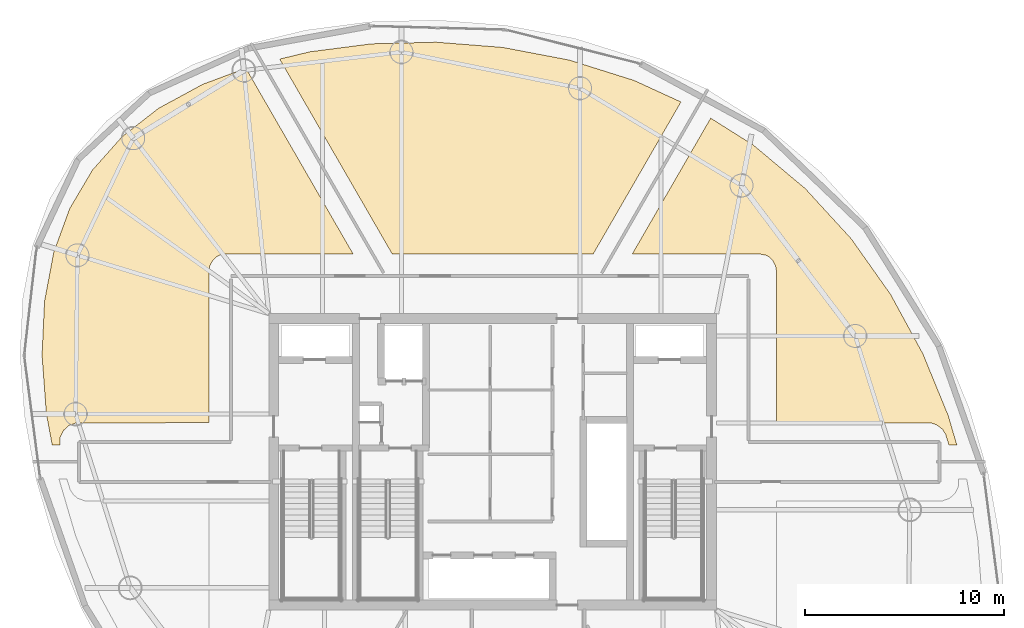
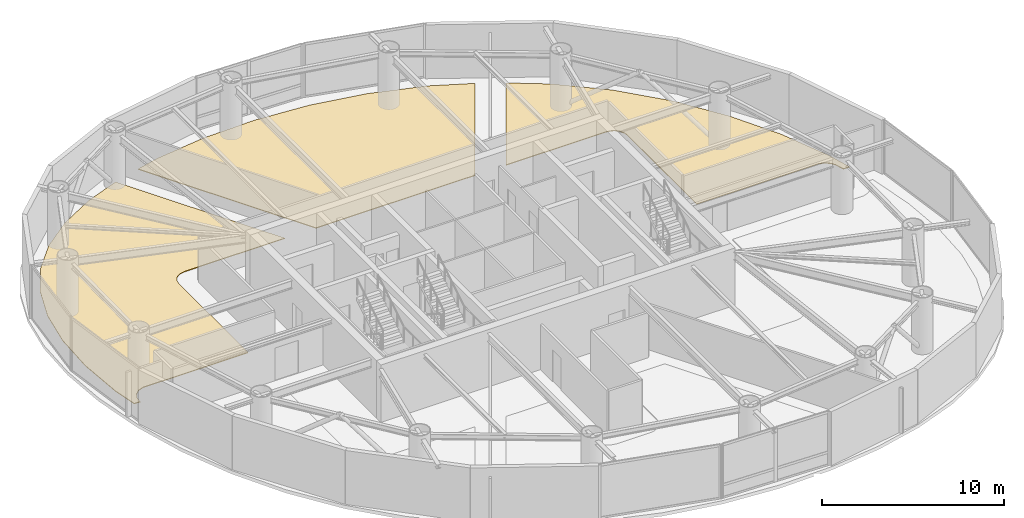
# One storey, part 20 of 20: 3 coverings.
"""IFC4 building model written with IfcOpenShell, lengths in metres."""

from ifc_helpers import new_model, si_unit, direction, frame, origin, place, context, subcontext, project, spatial, polyline, outline, extrude, material, layer, layer_set, type_object, element, save


model = new_model("IFC4")

# Units and contexts
model_context = context("Model", 3, precision=1e-05, world=origin(), true_north=direction((0.0, 1.0)))
body_context = subcontext(model_context, "Body", "Model", "MODEL_VIEW")
ifc_project = project(units=[si_unit("LENGTHUNIT", "METRE"), si_unit("AREAUNIT", "SQUARE_METRE"), si_unit("VOLUMEUNIT", "CUBIC_METRE"), si_unit("PLANEANGLEUNIT", "RADIAN"), si_unit("MASSUNIT", "GRAM", prefix="KILO")], contexts=[model_context])

# Site, building, storey
site_placement = place(None, origin())
site = spatial("IfcSite", under=ifc_project, at=site_placement, CompositionType="ELEMENT")
building_placement = place(site_placement, origin())
building = spatial("IfcBuilding", under=site, at=building_placement, Name="Bramvorn Convention Spire", CompositionType="ELEMENT")
storey_placement = place(building_placement, frame((0.0, 0.0, 175.050048828125)))
storey = spatial("IfcBuildingStorey", under=building, at=storey_placement, Name="L44", CompositionType="ELEMENT", Elevation=175.050048828125)

# Coverings
ifc_material = material(Name="Calcium-Sulphate Raised Access Office Floor", Category="steel")
ifc_layer = layer(ifc_material, 0.044921875)
ifc_layer_set = layer_set([ifc_layer], Name="Calcium-Sulphate Raised Access Office Floor - FLR-RAISED-45")
covering_type = type_object("IfcCoveringType", Name="FLR-RAISED-45", PredefinedType="FLOORING", material=ifc_layer_set)
covering_1_placement = place(storey_placement, origin())
element("IfcCovering", 1, at=covering_1_placement, inside=storey, type_object=covering_type, Name="L44 Open-Plan Engineering Office A 1 raised floor finish", PredefinedType="FLOORING", context=body_context, shape_type="SweptSolid", body=[
    extrude(outline(polyline([(51.092529296875, 41.91748046875), (48.951416015625, 43.268310546875), (45.014892578125, 36.449951171875), (51.39990234375, 36.449951171875), (51.725341796875, 36.38525390625), (51.872314453125, 36.306640625), (52.05712890625, 36.13916015625), (52.21337890625, 35.8466796875), (52.25, 35.60009765625), (52.25, 27.969970703125), (60.004150390625, 27.960205078125), (60.289306640625, 27.872802734375), (60.593017578125, 27.642578125), (60.749267578125, 27.402099609375), (60.92138671875, 26.85009765625), (61.3173828125, 26.85009765625), (60.883544921875, 28.32958984375), (59.61279296875, 31.42919921875), (57.987548828125, 34.41650390625), (56.013916015625, 37.207275390625), (53.70703125, 39.727294921875), (51.092529296875, 41.91748046875)])), origin(), (0.0, 0.0, 1.0), 0.044921875),
])
covering_2_placement = place(storey_placement, origin())
element("IfcCovering", 2, at=covering_2_placement, inside=storey, type_object=covering_type, Name="L44 Open-Plan Engineering Office B 2 raised floor finish", PredefinedType="FLOORING", context=body_context, shape_type="SweptSolid", body=[
    extrude(outline(polyline([(28.82373046875, 46.60546875), (27.29736328125, 46.237548828125), (32.9482421875, 36.449951171875), (43.0517578125, 36.449951171875), (47.4580078125, 44.081787109375), (45.103271484375, 45.16357421875), (41.8427734375, 46.189453125), (38.50146484375, 46.82373046875), (35.162109375, 47.086181640625), (31.9091796875, 47.00341796875), (28.82373046875, 46.60546875)])), origin(), (0.0, 0.0, 1.0), 0.044921875),
])
covering_3_placement = place(storey_placement, origin())
element("IfcCovering", 3, at=covering_3_placement, inside=storey, type_object=covering_type, Name="L44 Open-Plan Digital Office C 3 raised floor finish", PredefinedType="FLOORING", context=body_context, shape_type="SweptSolid", body=[
    extrude(outline(polyline([(15.575927734375, 28.43798828125), (15.86865234375, 26.85009765625), (16.255615234375, 26.85009765625), (16.27392578125, 27.239990234375), (16.435546875, 27.578857421875), (16.713623046875, 27.8310546875), (17.078369140625, 27.96044921875), (23.75, 27.969970703125), (23.75, 35.60009765625), (23.78662109375, 35.8466796875), (23.94287109375, 36.13916015625), (24.127685546875, 36.306640625), (24.274658203125, 36.38525390625), (24.60009765625, 36.449951171875), (30.985107421875, 36.449951171875), (25.599609375, 45.7783203125), (23.4326171875, 44.9697265625), (21.2265625, 43.772705078125), (19.3798828125, 42.337646484375), (17.892333984375, 40.662841796875), (16.752197265625, 38.734375), (15.950439453125, 36.53759765625), (15.485107421875, 34.071044921875), (15.359130859375, 31.3564453125), (15.575927734375, 28.43798828125)])), origin(), (0.0, 0.0, 1.0), 0.044921875),
])

save(model, "model.ifc")
